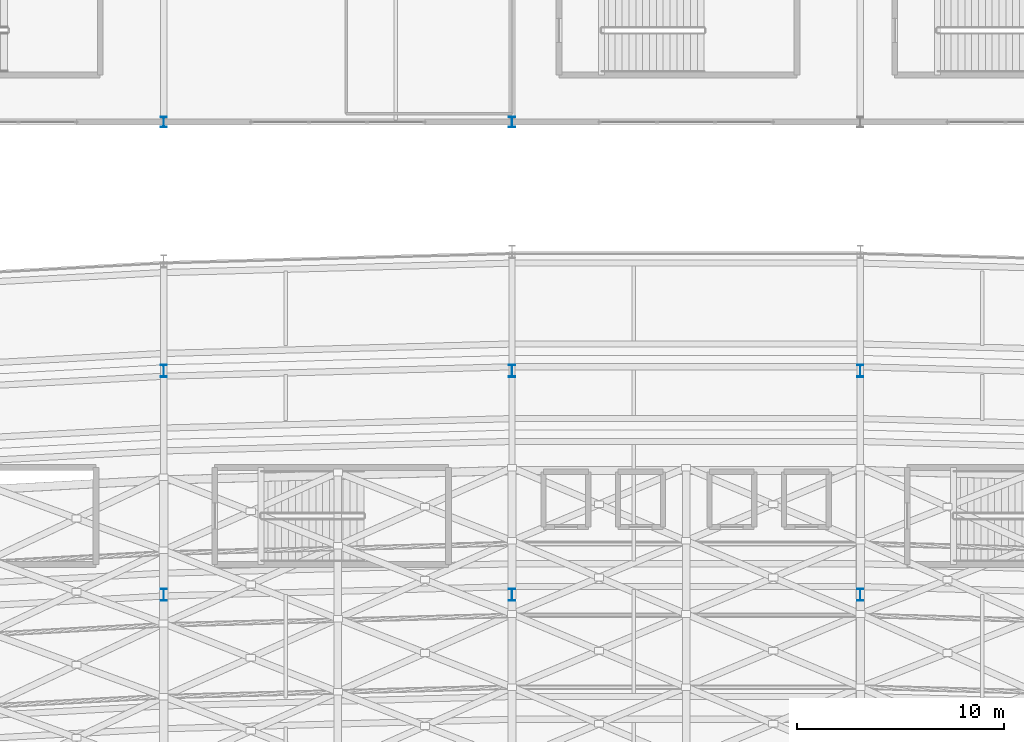
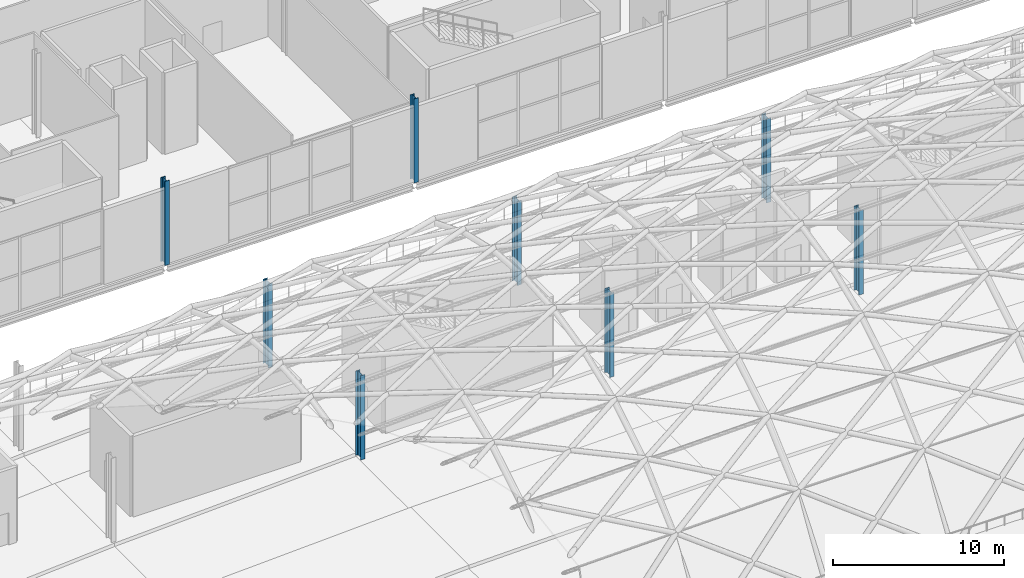
# One storey, part 3 of 100: 8 columns.
"""IFC4 building model written with IfcOpenShell, lengths in metres."""

from ifc_helpers import new_model, si_unit, direction, frame, origin, origin_2d, place, context, subcontext, project, spatial, i_section, extrude, material, material_profile, profile_set, type_object, element, save


model = new_model("IFC4")

# Units and contexts
model_context = context("Model", 3, precision=1e-05, world=origin(), true_north=direction((0.0, 1.0)))
body_context = subcontext(model_context, "Body", "Model", "MODEL_VIEW")
ifc_project = project(units=[si_unit("LENGTHUNIT", "METRE"), si_unit("AREAUNIT", "SQUARE_METRE"), si_unit("VOLUMEUNIT", "CUBIC_METRE"), si_unit("PLANEANGLEUNIT", "RADIAN"), si_unit("MASSUNIT", "GRAM", prefix="KILO")], contexts=[model_context])

# Site, building, storey
site_placement = place(None, origin())
site = spatial("IfcSite", under=ifc_project, at=site_placement, CompositionType="ELEMENT")
building_placement = place(site_placement, origin())
building = spatial("IfcBuilding", under=site, at=building_placement, Name="Kimbaza Rail Terminus", CompositionType="ELEMENT")
storey_placement = place(building_placement, frame((0.0, 0.0, 10.800048828125)))
storey = spatial("IfcBuildingStorey", under=building, at=storey_placement, Name="L02", CompositionType="ELEMENT", Elevation=10.800048828125)

# Columns
ifc_material_1 = material(Name="Steel S355", Category="steel")
ifc_material_profile_1 = material_profile(ifc_material_1, i_section(OverallWidth=0.300048828125, OverallDepth=0.5, WebThickness=0.014404296875, FlangeThickness=0.028076171875, FilletRadius=0.027099609375, at=origin_2d()), Name="HEB 500")
ifc_profile_set_1 = profile_set([ifc_material_profile_1], Name="Steel S355")
column_type_1 = type_object("IfcColumnType", Name="STR-COL-HEB500", PredefinedType="COLUMN", material=ifc_profile_set_1)
for number, where, z_axis, x_axis, name in (
    (1, (88.800048828125, 103.0, 0.0), (0.0, 0.0, 1.0), (1.0, 0.0, 0.0), "Operations Column L02 (2,0)"),
    (2, (105.60009765625, 103.0, 0.0), (0.0, 0.0, 1.0), (1.0, 0.0, 0.0), "Operations Column L02 (3,0)"),
):
    element("IfcColumn", number, at=place(storey_placement, frame(where, z_axis=z_axis, x_axis=x_axis)), inside=storey, type_object=column_type_1, Name=name, PredefinedType="COLUMN", context=body_context, shape_type="SweptSolid", body=[
        extrude(i_section(OverallWidth=0.300048828125, OverallDepth=0.5, WebThickness=0.014404296875, FlangeThickness=0.028076171875, FilletRadius=0.027099609375, at=origin_2d()), origin(), (0.0, 0.0, 1.0), 6.0),
    ])
ifc_material_2 = material(Name="Steel S355", Category="steel")
ifc_material_profile_2 = material_profile(ifc_material_2, i_section(OverallWidth=0.300048828125, OverallDepth=0.60009765625, WebThickness=0.015380859375, FlangeThickness=0.030029296875, FilletRadius=0.027099609375, at=origin_2d()), Name="HEB 600")
ifc_profile_set_2 = profile_set([ifc_material_profile_2], Name="Steel S355")
column_type_2 = type_object("IfcColumnType", Name="STR-COL-HEB600", PredefinedType="COLUMN", material=ifc_profile_set_2)
for number, where, z_axis, x_axis, name in (
    (3, (88.800048828125, 80.199951171875, 0.0), (0.0, 0.0, 1.0), (1.0, 0.0, 0.0), "North Transfer Pier L02 (2,0)"),
    (4, (88.800048828125, 91.0, 0.0), (0.0, 0.0, 1.0), (1.0, 0.0, 0.0), "North Transfer Pier L02 (2,1)"),
    (5, (105.60009765625, 80.199951171875, 0.0), (0.0, 0.0, 1.0), (1.0, 0.0, 0.0), "North Transfer Pier L02 (3,0)"),
    (6, (105.60009765625, 91.0, 0.0), (0.0, 0.0, 1.0), (1.0, 0.0, 0.0), "North Transfer Pier L02 (3,1)"),
    (7, (122.39990234375, 80.199951171875, 0.0), (0.0, 0.0, 1.0), (1.0, 0.0, 0.0), "North Transfer Pier L02 (4,0)"),
    (8, (122.39990234375, 91.0, 0.0), (0.0, 0.0, 1.0), (1.0, 0.0, 0.0), "North Transfer Pier L02 (4,1)"),
):
    element("IfcColumn", number, at=place(storey_placement, frame(where, z_axis=z_axis, x_axis=x_axis)), inside=storey, type_object=column_type_2, Name=name, PredefinedType="COLUMN", context=body_context, shape_type="SweptSolid", body=[
        extrude(i_section(OverallWidth=0.300048828125, OverallDepth=0.60009765625, WebThickness=0.015380859375, FlangeThickness=0.030029296875, FilletRadius=0.027099609375, at=origin_2d()), origin(), (0.0, 0.0, 1.0), 6.0),
    ])

save(model, "model.ifc")
